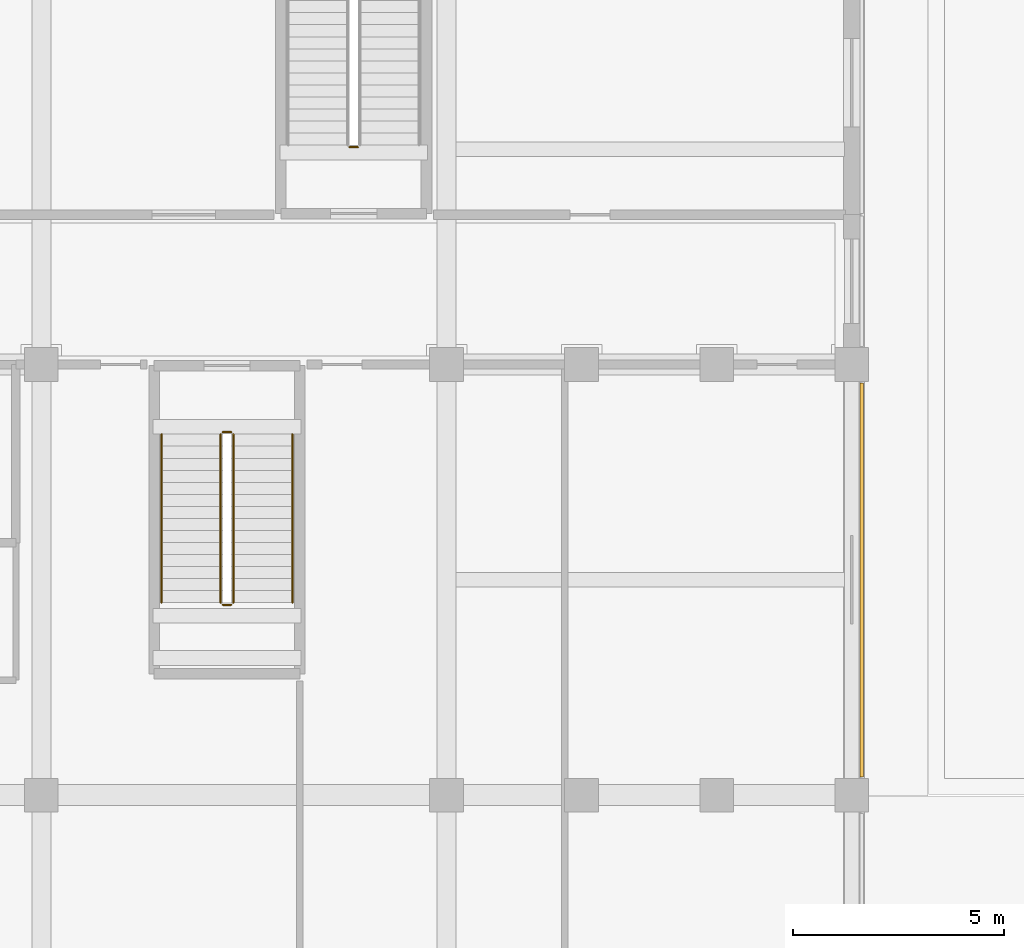
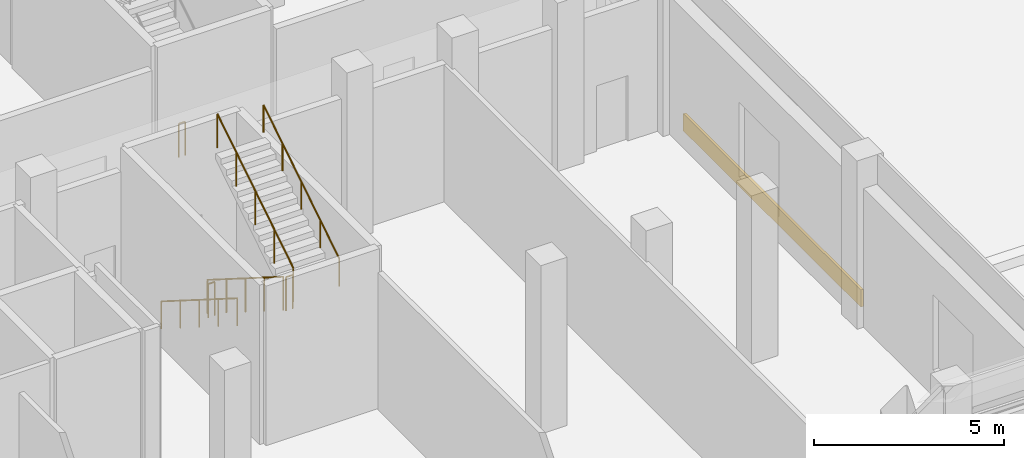
# One storey, part 119 of 137: 7 railings, 1 covering.
"""IFC4 building model written with IfcOpenShell, lengths in metres."""

from ifc_helpers import new_model, si_unit, direction, frame, origin, origin_2d, place, context, subcontext, project, spatial, rectangle, circle, extrude, material, layer, layer_set, type_object, element, save


model = new_model("IFC4")

# Units and contexts
model_context = context("Model", 3, precision=1e-05, world=origin(), true_north=direction((0.0, 1.0)))
body_context = subcontext(model_context, "Body", "Model", "MODEL_VIEW")
ifc_project = project(units=[si_unit("LENGTHUNIT", "METRE"), si_unit("AREAUNIT", "SQUARE_METRE"), si_unit("VOLUMEUNIT", "CUBIC_METRE"), si_unit("PLANEANGLEUNIT", "RADIAN"), si_unit("MASSUNIT", "GRAM", prefix="KILO")], contexts=[model_context])

# Site, building, storey
site_placement = place(None, origin())
site = spatial("IfcSite", under=ifc_project, at=site_placement, CompositionType="ELEMENT")
building_placement = place(site_placement, origin())
building = spatial("IfcBuilding", under=site, at=building_placement, Name="Vondelvale Polytechnic", CompositionType="ELEMENT")
storey_placement = place(building_placement, origin())
storey = spatial("IfcBuildingStorey", under=building, at=storey_placement, Name="L00", CompositionType="ELEMENT", Elevation=0.0)

# Covering
ifc_material_1 = material(Name="Malmsbury bluestone ashlar stone masonry", Category="masonry")
ifc_layer_1 = layer(ifc_material_1, 0.080078125)
ifc_layer_set_1 = layer_set([ifc_layer_1], Name="COV-BLUESTONE-PLINTH")
covering_type = type_object("IfcCoveringType", Name="COV-BLUESTONE-PLINTH", PredefinedType="CLADDING", material=ifc_layer_set_1)
covering_placement = place(storey_placement, frame((48.236083984375, 15.300048828125, 0.0), z_axis=(0.0, 0.0, 1.0), x_axis=(0.0, -1.0, 0.0)))
element("IfcCovering", 1, at=covering_placement, inside=storey, type_object=covering_type, Name="L00 exterior corbelled masonry relief band", PredefinedType="CLADDING", context=body_context, shape_type="SweptSolid", body=[
    extrude(rectangle(XDim=9.337890625, YDim=0.080078125, at=origin_2d()), origin(), (0.0, 0.0, 1.0), 0.550048828125),
])

# Railings
ifc_material_2 = material(Name="Brushed architectural stainless and zinc-coated metal")
ifc_layer_2 = layer(ifc_material_2, 0.050048828125)
ifc_layer_set_2 = layer_set([ifc_layer_2], Name="RL-STAIR-GUARD")
railing_type_1 = type_object("IfcRailingType", Name="RL-STAIR-GUARD", PredefinedType="GUARDRAIL", material=ifc_layer_set_2)
railing_1_placement = place(storey_placement, frame((33.050048828125, 18.75, 0.179931640625)))
element("IfcRailing", 2, at=railing_1_placement, inside=storey, type_object=railing_type_1, Name="L00 ST-04 stair guard 1", PredefinedType="GUARDRAIL", context=body_context, shape_type="SweptSolid", body=[
    extrude(circle(Radius=0.02392578125, at=origin_2d()), frame((0.0, 0.0, 1.076171875), z_axis=(0.0, -0.845486444383, 0.533996884227), x_axis=(1.0, 0.0, 0.0)), (0.0, 0.0, 1.0), 4.71923828125),
    extrude(circle(Radius=0.02099609375, at=origin_2d()), origin(), (0.0, 0.0, 1.0), 1.052001953125),
    extrude(circle(Radius=0.02099609375, at=origin_2d()), frame((0.0, -0.99755859375, 0.6298828125)), (0.0, 0.0, 1.0), 1.052001953125),
    extrude(circle(Radius=0.02099609375, at=origin_2d()), frame((0.0, -1.9951171875, 1.260009765625)), (0.0, 0.0, 1.0), 1.052001953125),
    extrude(circle(Radius=0.02099609375, at=origin_2d()), frame((0.0, -2.992431640625, 1.89013671875)), (0.0, 0.0, 1.0), 1.052001953125),
    extrude(circle(Radius=0.02099609375, at=origin_2d()), frame((0.0, -3.989990234375, 2.52001953125)), (0.0, 0.0, 1.0), 1.052001953125),
])
railing_2_placement = place(storey_placement, frame((33.10009765625, 14.7099609375, 2.699951171875)))
element("IfcRailing", 3, at=railing_2_placement, inside=storey, type_object=railing_type_1, Name="L00 ST-04 stair guard 2", PredefinedType="GUARDRAIL", context=body_context, shape_type="SweptSolid", body=[
    extrude(circle(Radius=0.02392578125, at=origin_2d()), frame((0.0, 0.0, 1.076171875), z_axis=(1.0, 0.0, 0.0), x_axis=(0.0, 1.0, 0.0)), (0.0, 0.0, 1.0), 0.199951171875),
    extrude(circle(Radius=0.02099609375, at=origin_2d()), origin(), (0.0, 0.0, 1.0), 1.052001953125),
    extrude(circle(Radius=0.02099609375, at=origin_2d()), frame((0.199951171875, 0.0, 0.0)), (0.0, 0.0, 1.0), 1.052001953125),
])
railing_3_placement = place(storey_placement, frame((33.35009765625, 14.760009765625, 2.8798828125)))
element("IfcRailing", 4, at=railing_3_placement, inside=storey, type_object=railing_type_1, Name="L00 ST-04 stair guard 3", PredefinedType="GUARDRAIL", context=body_context, shape_type="SweptSolid", body=[
    extrude(circle(Radius=0.02392578125, at=origin_2d()), frame((0.0, 0.0, 1.076171875), z_axis=(0.0, 0.845486444383, 0.533996884227), x_axis=(-1.0, 0.0, 0.0)), (0.0, 0.0, 1.0), 4.71923828125),
    extrude(circle(Radius=0.02099609375, at=origin_2d()), origin(), (0.0, 0.0, 1.0), 1.052001953125),
    extrude(circle(Radius=0.02099609375, at=origin_2d()), frame((0.0, 0.99755859375, 0.6298828125)), (0.0, 0.0, 1.0), 1.052001953125),
    extrude(circle(Radius=0.02099609375, at=origin_2d()), frame((0.0, 1.9951171875, 1.260009765625)), (0.0, 0.0, 1.0), 1.052001953125),
    extrude(circle(Radius=0.02099609375, at=origin_2d()), frame((0.0, 2.992431640625, 1.89013671875)), (0.0, 0.0, 1.0), 1.052001953125),
    extrude(circle(Radius=0.02099609375, at=origin_2d()), frame((0.0, 3.989990234375, 2.52001953125)), (0.0, 0.0, 1.0), 1.052001953125),
])
railing_4_placement = place(storey_placement, frame((33.10009765625, 18.800048828125, 0.0)))
element("IfcRailing", 5, at=railing_4_placement, inside=storey, type_object=railing_type_1, Name="L00 ST-04 stair guard 4", PredefinedType="GUARDRAIL", context=body_context, shape_type="SweptSolid", body=[
    extrude(circle(Radius=0.02392578125, at=origin_2d()), frame((0.0, 0.0, 1.076171875), z_axis=(1.0, 0.0, 0.0), x_axis=(0.0, 1.0, 0.0)), (0.0, 0.0, 1.0), 0.199951171875),
    extrude(circle(Radius=0.02099609375, at=origin_2d()), origin(), (0.0, 0.0, 1.0), 1.052001953125),
    extrude(circle(Radius=0.02099609375, at=origin_2d()), frame((0.199951171875, 0.0, 0.0)), (0.0, 0.0, 1.0), 1.052001953125),
])
railing_5_placement = place(storey_placement, frame((36.300048828125, 25.550048828125, 0.0)))
element("IfcRailing", 6, at=railing_5_placement, inside=storey, type_object=railing_type_1, Name="L00 ST-05 stair guard 4", PredefinedType="GUARDRAIL", context=body_context, shape_type="SweptSolid", body=[
    extrude(circle(Radius=0.02392578125, at=origin_2d()), frame((0.0, 0.0, 1.076171875), z_axis=(-1.0, 0.0, 0.0), x_axis=(0.0, -1.0, 0.0)), (0.0, 0.0, 1.0), 0.199951171875),
    extrude(circle(Radius=0.02099609375, at=origin_2d()), origin(), (0.0, 0.0, 1.0), 1.052001953125),
    extrude(circle(Radius=0.02099609375, at=origin_2d()), frame((-0.199951171875, 0.0, 0.0)), (0.0, 0.0, 1.0), 1.052001953125),
])
ifc_layer_3 = layer(ifc_material_2, 0.048095703125)
ifc_layer_set_3 = layer_set([ifc_layer_3], Name="RL-STAIR-HANDRAIL")
railing_type_2 = type_object("IfcRailingType", Name="RL-STAIR-HANDRAIL", PredefinedType="HANDRAIL", material=ifc_layer_set_3)
railing_6_placement = place(storey_placement, frame((31.64990234375, 18.75, 0.179931640625)))
element("IfcRailing", 7, at=railing_6_placement, inside=storey, type_object=railing_type_2, Name="L00 ST-04 stair handrail 1", PredefinedType="HANDRAIL", context=body_context, shape_type="SweptSolid", body=[
    extrude(circle(Radius=0.02392578125, at=origin_2d()), frame((0.0, 0.0, 0.8759765625), z_axis=(0.0, -0.845486444383, 0.533996884227), x_axis=(1.0, 0.0, 0.0)), (0.0, 0.0, 1.0), 4.71923828125),
    extrude(circle(Radius=0.02099609375, at=origin_2d()), origin(), (0.0, 0.0, 1.0), 0.851806640625),
    extrude(circle(Radius=0.02099609375, at=origin_2d()), frame((0.0, -0.99755859375, 0.6298828125)), (0.0, 0.0, 1.0), 0.851806640625),
    extrude(circle(Radius=0.02099609375, at=origin_2d()), frame((0.0, -1.9951171875, 1.260009765625)), (0.0, 0.0, 1.0), 0.851806640625),
    extrude(circle(Radius=0.02099609375, at=origin_2d()), frame((0.0, -2.992431640625, 1.89013671875)), (0.0, 0.0, 1.0), 0.851806640625),
    extrude(circle(Radius=0.02099609375, at=origin_2d()), frame((0.0, -3.989990234375, 2.52001953125)), (0.0, 0.0, 1.0), 0.851806640625),
])
railing_7_placement = place(storey_placement, frame((34.75, 14.760009765625, 2.8798828125)))
element("IfcRailing", 8, at=railing_7_placement, inside=storey, type_object=railing_type_2, Name="L00 ST-04 stair handrail 2", PredefinedType="HANDRAIL", context=body_context, shape_type="SweptSolid", body=[
    extrude(circle(Radius=0.02392578125, at=origin_2d()), frame((0.0, 0.0, 0.8759765625), z_axis=(0.0, 0.845486444383, 0.533996884227), x_axis=(-1.0, 0.0, 0.0)), (0.0, 0.0, 1.0), 4.71923828125),
    extrude(circle(Radius=0.02099609375, at=origin_2d()), origin(), (0.0, 0.0, 1.0), 0.851806640625),
    extrude(circle(Radius=0.02099609375, at=origin_2d()), frame((0.0, 0.99755859375, 0.6298828125)), (0.0, 0.0, 1.0), 0.851806640625),
    extrude(circle(Radius=0.02099609375, at=origin_2d()), frame((0.0, 1.9951171875, 1.260009765625)), (0.0, 0.0, 1.0), 0.851806640625),
    extrude(circle(Radius=0.02099609375, at=origin_2d()), frame((0.0, 2.992431640625, 1.89013671875)), (0.0, 0.0, 1.0), 0.851806640625),
    extrude(circle(Radius=0.02099609375, at=origin_2d()), frame((0.0, 3.989990234375, 2.52001953125)), (0.0, 0.0, 1.0), 0.851806640625),
])

save(model, "model.ifc")
